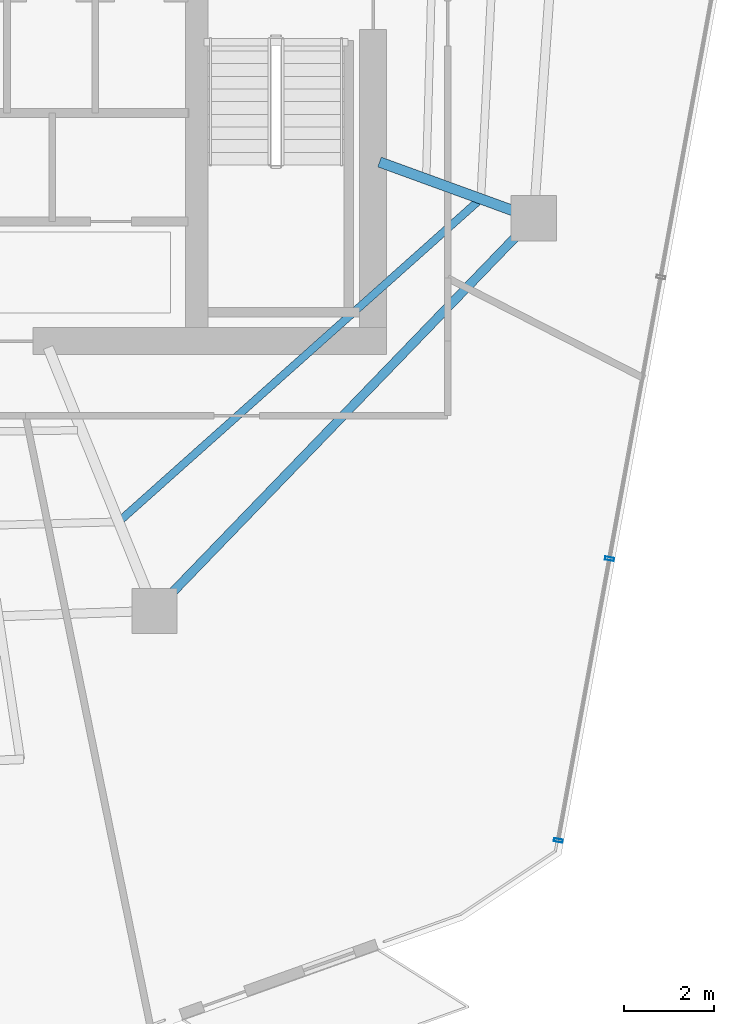
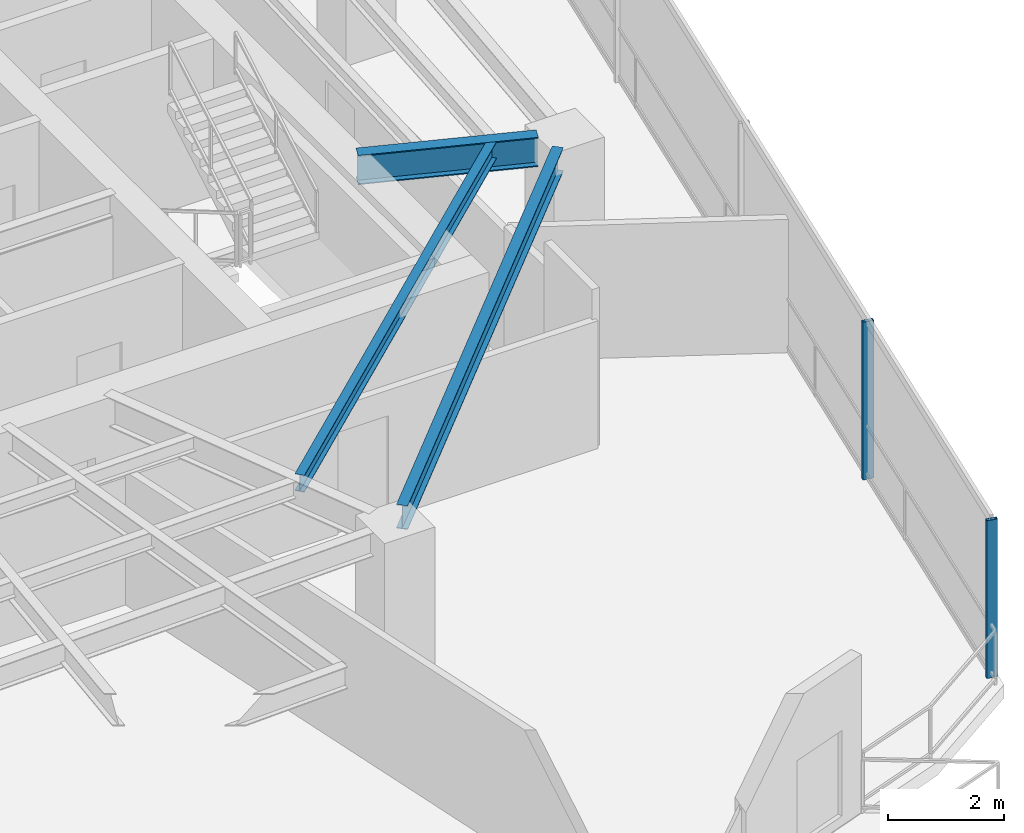
# One storey, part 8 of 21: 3 beams, 2 members, 1 element without a shape of its own.
"""IFC4 building model written with IfcOpenShell, lengths in metres."""

from ifc_helpers import new_model, si_unit, direction, frame, origin, origin_2d, place, context, subcontext, project, spatial, hollow_rectangle, i_section, extrude, material, layer, layer_set, material_profile, profile_set, type_object, element, aggregate, save


model = new_model("IFC4")

# Units and contexts
model_context = context("Model", 3, precision=1e-05, world=origin(), true_north=direction((0.0, 1.0)))
body_context = subcontext(model_context, "Body", "Model", "MODEL_VIEW")
ifc_project = project(units=[si_unit("LENGTHUNIT", "METRE"), si_unit("AREAUNIT", "SQUARE_METRE"), si_unit("VOLUMEUNIT", "CUBIC_METRE"), si_unit("PLANEANGLEUNIT", "RADIAN"), si_unit("MASSUNIT", "GRAM", prefix="KILO")], contexts=[model_context])

# Site, building, storey
site_placement = place(None, origin())
site = spatial("IfcSite", under=ifc_project, at=site_placement, CompositionType="ELEMENT")
building_placement = place(site_placement, origin())
building = spatial("IfcBuilding", under=site, at=building_placement, Name="Qarnah Convention Tower", CompositionType="ELEMENT")
storey_placement = place(building_placement, frame((0.0, 0.0, 140.10009765625)))
storey = spatial("IfcBuildingStorey", under=building, at=storey_placement, Name="L37", CompositionType="ELEMENT", Elevation=140.10009765625)

# Beams
ifc_material_1 = material(Name="Structural steel S355JR", Category="steel")
ifc_material_profile_1 = material_profile(ifc_material_1, i_section(OverallWidth=0.172119140625, OverallDepth=0.35595703125, WebThickness=0.007080078125, FlangeThickness=0.011962890625, at=origin_2d()), Name="W360X51")
ifc_profile_set_1 = profile_set([ifc_material_profile_1], Name="Structural steel S355JR")
beam_type_1 = type_object("IfcBeamType", Name="BM-JST-W360", PredefinedType="JOIST", material=ifc_profile_set_1)
beam_1_placement = place(storey_placement, frame((42.033935546875, 14.660888671875, 3.141845703125), z_axis=(0.746348207253, 0.66555567275, 0.0), x_axis=(-0.66555567275, 0.746348207253, 0.0)))
element("IfcBeam", 1, at=beam_1_placement, inside=storey, type_object=beam_type_1, Name="L37 joist BM-L37-SJST-08", PredefinedType="JOIST", context=body_context, shape_type="SweptSolid", body=[
    extrude(i_section(OverallWidth=0.172119140625, OverallDepth=0.35595703125, WebThickness=0.007080078125, FlangeThickness=0.011962890625, at=origin_2d()), origin(), (0.0, 0.0, 1.0), 10.558349609375),
])
ifc_material_profile_2 = material_profile(ifc_material_1, i_section(OverallWidth=0.22998046875, OverallDepth=0.617919921875, WebThickness=0.012939453125, FlangeThickness=0.02197265625, at=origin_2d()), Name="W610X140")
ifc_profile_set_2 = profile_set([ifc_material_profile_2], Name="Structural steel S355JR")
beam_type_2 = type_object("IfcBeamType", Name="BM-RAD-W610A", PredefinedType="BEAM", material=ifc_profile_set_2)
beam_2_placement = place(storey_placement, frame((47.740966796875, 22.56396484375, 3.010986328125), z_axis=(0.939610124669, -0.342246714549, 0.0), x_axis=(0.342246714549, 0.939610124669, 0.0)))
element("IfcBeam", 2, at=beam_2_placement, inside=storey, type_object=beam_type_2, Name="L37 beam BM-L37-RAD-09", PredefinedType="BEAM", context=body_context, shape_type="SweptSolid", body=[
    extrude(i_section(OverallWidth=0.22998046875, OverallDepth=0.617919921875, WebThickness=0.012939453125, FlangeThickness=0.02197265625, at=origin_2d()), origin(), (0.0, 0.0, 1.0), 3.15234375),
])
ifc_material_profile_3 = material_profile(ifc_material_1, i_section(OverallWidth=0.199951171875, OverallDepth=0.5, WebThickness=0.010009765625, FlangeThickness=0.01611328125, at=origin_2d()), Name="IPE500")
ifc_profile_set_3 = profile_set([ifc_material_profile_3], Name="Structural steel S355JR")
beam_type_3 = type_object("IfcBeamType", Name="BM-SPN-IPE500", PredefinedType="SPANDREL", material=ifc_profile_set_3)
beam_3_placement = place(storey_placement, frame((43.10302734375, 12.98291015625, 3.06982421875), z_axis=(0.694605503013, 0.719390850084, 0.0), x_axis=(-0.719390850084, 0.694605503013, 0.0)))
element("IfcBeam", 3, at=beam_3_placement, inside=storey, type_object=beam_type_3, Name="L37 spandrel BM-L37-SPN-08", PredefinedType="SPANDREL", context=body_context, shape_type="SweptSolid", body=[
    extrude(i_section(OverallWidth=0.199951171875, OverallDepth=0.5, WebThickness=0.010009765625, FlangeThickness=0.01611328125, at=origin_2d()), origin(), (0.0, 0.0, 1.0), 11.10107421875),
])

# Curtain wall, members
ifc_material_2 = material(Name="Tempered Low-E dark glass", Category="glass")
ifc_layer = layer(ifc_material_2, 0.172119140625)
ifc_layer_set = layer_set([ifc_layer], Name="Tempered Low-E dark glass")
curtain_wall_type = type_object("IfcCurtainWallType", Name="CWS-03", PredefinedType="NOTDEFINED", material=ifc_layer_set)
curtain_wall_placement = place(storey_placement, origin())
curtain_wall = element("IfcCurtainWall", 4, at=curtain_wall_placement, inside=storey, type_object=curtain_wall_type, Name="L37 unitised curtain wall CW-L37-F1", PredefinedType="NOTDEFINED")
ifc_material_3 = material(Name="Black anodised aluminium", Category="aluminium")
ifc_material_profile_4 = material_profile(ifc_material_3, hollow_rectangle(XDim=0.070068359375, YDim=0.199951171875, WallThickness=0.0048828125, at=origin_2d()), Name="MUL-70X200")
ifc_profile_set_4 = profile_set([ifc_material_profile_4], Name="Black anodised aluminium")
member_type = type_object("IfcMemberType", Name="MUL-T3", PredefinedType="MULLION", material=ifc_profile_set_4)
member_1_placement = place(storey_placement, frame((52.8310546875, 13.78369140625, 0.0), z_axis=(0.0, 0.0, 1.0), x_axis=(-0.179132646464, -0.983824931058, 0.0)))
member_1 = element("IfcMember", 5, at=member_1_placement, type_object=member_type, Name="CW-L37-F1 mullion 5", PredefinedType="MULLION", context=body_context, shape_type="SweptSolid", body=[
    extrude(hollow_rectangle(XDim=0.070068359375, YDim=0.199951171875, WallThickness=0.0048828125, at=origin_2d()), origin(), (0.0, 0.0, 1.0), 3.31982421875),
])
member_2_placement = place(storey_placement, frame((51.696044921875, 7.550048828125, 0.0), z_axis=(0.0, 0.0, 1.0), x_axis=(-0.179132646464, -0.983824931058, 0.0)))
member_2 = element("IfcMember", 6, at=member_2_placement, type_object=member_type, Name="CW-L37-F1 mullion 6", PredefinedType="MULLION", context=body_context, shape_type="SweptSolid", body=[
    extrude(hollow_rectangle(XDim=0.070068359375, YDim=0.199951171875, WallThickness=0.0048828125, at=origin_2d()), origin(), (0.0, 0.0, 1.0), 3.31982421875),
])
aggregate(curtain_wall, [member_1, member_2])

save(model, "model.ifc")
